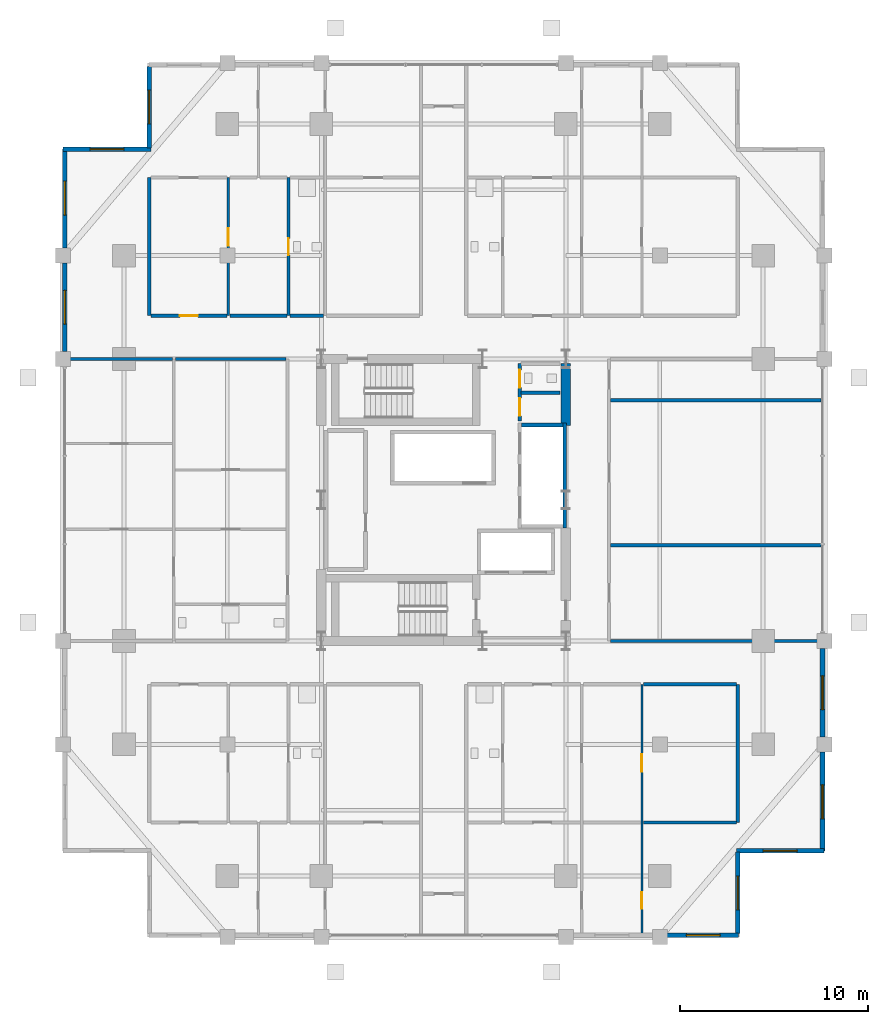
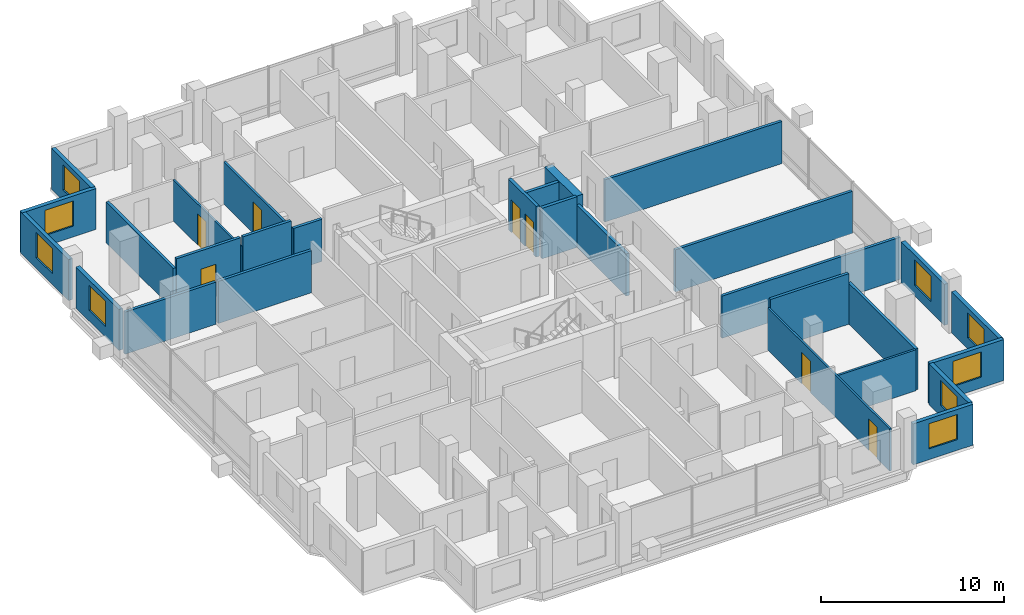
# One storey, part 16 of 20: 29 walls, 9 windows, 7 doors, 16 openings.
"""IFC4 building model written with IfcOpenShell, lengths in metres."""

from ifc_helpers import new_model, si_unit, direction, frame, frame_2d, origin, place, context, subcontext, project, spatial, rectangle, extrude, material, layer, layer_set, type_object, element, fill, save


model = new_model("IFC4")

# Units and contexts
model_context = context("Model", 3, precision=1e-05, world=origin(), true_north=direction((0.0, 1.0)))
body_context = subcontext(model_context, "Body", "Model", "MODEL_VIEW")
ifc_project = project(units=[si_unit("LENGTHUNIT", "METRE"), si_unit("AREAUNIT", "SQUARE_METRE"), si_unit("VOLUMEUNIT", "CUBIC_METRE"), si_unit("PLANEANGLEUNIT", "RADIAN"), si_unit("MASSUNIT", "GRAM", prefix="KILO")], contexts=[model_context])

# Site, building, storey
site_placement = place(None, origin())
site = spatial("IfcSite", under=ifc_project, at=site_placement, CompositionType="ELEMENT")
building_placement = place(site_placement, origin())
building = spatial("IfcBuilding", under=site, at=building_placement, Name="Barlavira Tower and Art Museum", CompositionType="ELEMENT")
storey_placement = place(building_placement, frame((0.0, 0.0, 136.800048828125)))
storey = spatial("IfcBuildingStorey", under=building, at=storey_placement, Name="L34", CompositionType="ELEMENT", Elevation=136.800048828125)

# Wall, opening, door
ifc_material_1 = material(Name="Gypsum acoustic stud partition", Category="gypsum")
ifc_layer_1 = layer(ifc_material_1, 0.1201171875, Name="Gypsum acoustic stud partition")
ifc_layer_set_1 = layer_set([ifc_layer_1], Name="Gypsum acoustic stud partition")
wall_type_1 = type_object("IfcWallType", Name="Apartment Internal Acoustic Partition 120", PredefinedType="PARTITIONING", material=ifc_layer_set_1)
wall_1_placement = place(storey_placement, frame((-11.449951171875, 9.800048828125, 0.0), z_axis=(0.0, 0.0, 1.0), x_axis=(0.0, 1.0, 0.0)))
wall_1 = element("IfcWall", 1, at=wall_1_placement, inside=storey, type_object=wall_type_1, Name="L34 Partition Wall 5", PredefinedType="PARTITIONING", context=body_context, shape_type="SweptSolid", body=[
    extrude(rectangle(XDim=7.349853515625, YDim=0.1201171875, at=frame_2d((3.6748046875, 0.0))), origin(), (0.0, 0.0, 1.0), 2.73583984375),
])
opening_1_placement = place(wall_1_placement, frame((3.71337890625, 0.0, 0.0)))
opening_1 = element("IfcOpeningElement", 2, at=opening_1_placement, cuts=wall_1, Name="Opening D-02", PredefinedType="OPENING", context=body_context, shape_type="SweptSolid", body=[
    extrude(rectangle(XDim=0.949951171875, YDim=2.10009765625, at=frame_2d((0.47509765625, 1.050048828125))), frame((0.0, 0.070068359375, 0.0), z_axis=(0.0, -1.0, 0.0), x_axis=(1.0, 0.0, 0.0)), (0.0, 0.0, 1.0), 0.14013671875),
])
ifc_material_2 = material(Name="Engineered coastal hardwood", Category="wood")
door_type_1 = type_object("IfcDoorType", Name="Living and Salon Glazed-Leaf Door 950x2100", OperationType="NOTDEFINED", PredefinedType="DOOR", material=ifc_material_2)
door_1_placement = place(opening_1_placement, origin())
door_1 = element("IfcDoor", 3, at=door_1_placement, inside=storey, type_object=door_type_1, Name="Apartment NW1 Kitchen Door", OperationType="SINGLE_SWING_LEFT", OverallHeight=2.10009765625, OverallWidth=0.949951171875, PredefinedType="DOOR", context=body_context, shape_type="SweptSolid", body=[
    extrude(rectangle(XDim=0.949951171875, YDim=2.10009765625, at=frame_2d((0.47509765625, 1.050048828125))), frame((0.0, 0.02490234375, 0.0), z_axis=(0.0, -1.0, 0.0), x_axis=(1.0, 0.0, 0.0)), (0.0, 0.0, 1.0), 0.050048828125),
])
fill(opening_1, door_1)

# Wall, openings, doors
wall_2_placement = place(storey_placement, frame((10.550048828125, -23.14990234375, 0.0), z_axis=(0.0, 0.0, 1.0), x_axis=(0.0, 1.0, 0.0)))
wall_2 = element("IfcWall", 4, at=wall_2_placement, inside=storey, type_object=wall_type_1, Name="L34 Partition Wall 25", PredefinedType="PARTITIONING", context=body_context, shape_type="SweptSolid", body=[
    extrude(rectangle(XDim=13.349853515625, YDim=0.1201171875, at=frame_2d((6.6748046875, 0.0))), origin(), (0.0, 0.0, 1.0), 2.81591796875),
])
opening_2_placement = place(wall_2_placement, frame((8.686767578125, 0.0, 0.0)))
opening_2 = element("IfcOpeningElement", 5, at=opening_2_placement, cuts=wall_2, Name="Opening D-02", PredefinedType="OPENING", context=body_context, shape_type="SweptSolid", body=[
    extrude(rectangle(XDim=0.949951171875, YDim=2.10009765625, at=frame_2d((0.47509765625, 1.050048828125))), frame((0.0, 0.070068359375, 0.0), z_axis=(0.0, -1.0, 0.0), x_axis=(1.0, 0.0, 0.0)), (0.0, 0.0, 1.0), 0.14013671875),
])
opening_3_placement = place(wall_2_placement, frame((1.39892578125, 0.0, 0.0)))
opening_3 = element("IfcOpeningElement", 6, at=opening_3_placement, cuts=wall_2, Name="Opening D-01", PredefinedType="OPENING", context=body_context, shape_type="SweptSolid", body=[
    extrude(rectangle(XDim=0.89990234375, YDim=2.10009765625, at=frame_2d((0.449951171875, 1.050048828125))), frame((0.0, 0.070068359375, 0.0), z_axis=(0.0, -1.0, 0.0), x_axis=(1.0, 0.0, 0.0)), (0.0, 0.0, 1.0), 0.14013671875),
])
door_type_2 = type_object("IfcDoorType", Name="Internal Bedroom Timber Flush Door 900x2100", OperationType="NOTDEFINED", PredefinedType="DOOR", material=ifc_material_2)
door_2_placement = place(opening_3_placement, origin())
door_2 = element("IfcDoor", 7, at=door_2_placement, inside=storey, type_object=door_type_2, Name="Apartment SE1 Bedroom 2 Door", OperationType="SINGLE_SWING_RIGHT", OverallHeight=2.10009765625, OverallWidth=0.89990234375, PredefinedType="DOOR", context=body_context, shape_type="SweptSolid", body=[
    extrude(rectangle(XDim=0.89990234375, YDim=2.10009765625, at=frame_2d((0.449951171875, 1.050048828125))), frame((0.0, 0.02490234375, 0.0), z_axis=(0.0, -1.0, 0.0), x_axis=(1.0, 0.0, 0.0)), (0.0, 0.0, 1.0), 0.050048828125),
])
fill(opening_3, door_2)
door_3_placement = place(opening_2_placement, origin())
door_3 = element("IfcDoor", 8, at=door_3_placement, inside=storey, type_object=door_type_1, Name="Apartment SE1 Dining Salon Door", OperationType="SINGLE_SWING_LEFT", OverallHeight=2.10009765625, OverallWidth=0.949951171875, PredefinedType="DOOR", context=body_context, shape_type="SweptSolid", body=[
    extrude(rectangle(XDim=0.949951171875, YDim=2.10009765625, at=frame_2d((0.47509765625, 1.050048828125))), frame((0.0, 0.02490234375, 0.0), z_axis=(0.0, -1.0, 0.0), x_axis=(1.0, 0.0, 0.0)), (0.0, 0.0, 1.0), 0.050048828125),
])
fill(opening_2, door_3)

# Walls
ifc_material_3 = material(Name="Concrete C60", Category="concrete")
ifc_layer_2 = layer(ifc_material_3, 0.5, Name="Concrete C60")
ifc_layer_set_2 = layer_set([ifc_layer_2], Name="Concrete C60")
wall_type_2 = type_object("IfcWallType", Name="Core Structural Shear Wall 500 Concrete C60", PredefinedType="SHEAR", material=ifc_layer_set_2)
wall_3_placement = place(storey_placement, frame((6.5, 3.949951171875, 0.0), z_axis=(0.0, 0.0, 1.0), x_axis=(0.0, 1.0, 0.0)))
element("IfcWall", 9, at=wall_3_placement, inside=storey, type_object=wall_type_2, Name="L34 Core Shear Wall CS-E2", PredefinedType="SHEAR", context=body_context, shape_type="SweptSolid", body=[
    extrude(rectangle(XDim=3.300048828125, YDim=0.5, at=frame_2d((1.64990234375, 0.0))), origin(), (0.0, 0.0, 1.0), 3.3798828125),
])
ifc_material_4 = material(Name="Autoclaved aerated concrete masonry", Category="masonry")
ifc_layer_3 = layer(ifc_material_4, 0.199951171875, Name="Autoclaved aerated concrete masonry")
ifc_layer_set_3 = layer_set([ifc_layer_3], Name="Autoclaved aerated concrete masonry")
wall_type_3 = type_object("IfcWallType", Name="Fire Compartment and Shaft Wall 200", PredefinedType="SOLIDWALL", material=ifc_layer_set_3)
wall_4_placement = place(storey_placement, frame((6.449951171875, -1.489990234375, 0.0), z_axis=(0.0, 0.0, 1.0), x_axis=(0.0, 1.0, 0.0)))
element("IfcWall", 10, at=wall_4_placement, inside=storey, type_object=wall_type_3, Name="L34 Mid-Rise Lift Back Shaft Wall", PredefinedType="SOLIDWALL", context=body_context, shape_type="SweptSolid", body=[
    extrude(rectangle(XDim=5.580078125, YDim=0.199951171875, at=frame_2d((2.7900390625, 0.0))), origin(), (0.0, 0.0, 1.0), 2.81591796875),
])
wall_5_placement = place(storey_placement, frame((4.14990234375, 3.989990234375, 0.0), z_axis=(0.0, 0.0, 1.0), x_axis=(1.0, 0.0, 0.0)))
element("IfcWall", 11, at=wall_5_placement, inside=storey, type_object=wall_type_3, Name="L34 Mid-Rise Lift North Shaft Wall", PredefinedType="SOLIDWALL", context=body_context, shape_type="SweptSolid", body=[
    extrude(rectangle(XDim=2.2001953125, YDim=0.199951171875, at=frame_2d((1.10009765625, 0.0))), origin(), (0.0, 0.0, 1.0), 3.3798828125),
])

# Wall, openings, doors
wall_6_placement = place(storey_placement, frame((4.050048828125, 4.199951171875, 0.0), z_axis=(0.0, 0.0, 1.0), x_axis=(0.0, 1.0, 0.0)))
wall_6 = element("IfcWall", 12, at=wall_6_placement, inside=storey, type_object=wall_type_3, Name="L34 Partition Wall 21", PredefinedType="SOLIDWALL", context=body_context, shape_type="SweptSolid", body=[
    extrude(rectangle(XDim=3.050048828125, YDim=0.199951171875, at=frame_2d((1.52490234375, 0.0))), origin(), (0.0, 0.0, 1.0), 3.3798828125),
])
opening_4_placement = place(wall_6_placement, frame((0.27490234375, 0.0, 0.0)))
opening_4 = element("IfcOpeningElement", 13, at=opening_4_placement, cuts=wall_6, Name="Opening FD-60", PredefinedType="OPENING", context=body_context, shape_type="SweptSolid", body=[
    extrude(rectangle(XDim=0.949951171875, YDim=2.14990234375, at=frame_2d((0.47509765625, 1.074951171875))), frame((0.0, 0.10986328125, 0.0), z_axis=(0.0, -1.0, 0.0), x_axis=(1.0, 0.0, 0.0)), (0.0, 0.0, 1.0), 0.219970703125),
])
opening_5_placement = place(wall_6_placement, frame((1.77490234375, 0.0, 0.0)))
opening_5 = element("IfcOpeningElement", 14, at=opening_5_placement, cuts=wall_6, Name="Opening FD-60", PredefinedType="OPENING", context=body_context, shape_type="SweptSolid", body=[
    extrude(rectangle(XDim=0.949951171875, YDim=2.14990234375, at=frame_2d((0.47509765625, 1.074951171875))), frame((0.0, 0.10986328125, 0.0), z_axis=(0.0, -1.0, 0.0), x_axis=(1.0, 0.0, 0.0)), (0.0, 0.0, 1.0), 0.219970703125),
])
ifc_material_5 = material(Name="Brushed stainless steel", Category="steel")
door_type_3 = type_object("IfcDoorType", Name="Apartment Entrance and Riser Fire Door 950x2150 FD60S", OperationType="NOTDEFINED", PredefinedType="DOOR", material=ifc_material_5)
door_4_placement = place(opening_4_placement, origin())
door_4 = element("IfcDoor", 15, at=door_4_placement, inside=storey, type_object=door_type_3, Name="Electrical Switchgear Room Door", OperationType="SINGLE_SWING_RIGHT", OverallHeight=2.14990234375, OverallWidth=0.949951171875, PredefinedType="DOOR", context=body_context, shape_type="SweptSolid", body=[
    extrude(rectangle(XDim=0.949951171875, YDim=2.14990234375, at=frame_2d((0.47509765625, 1.074951171875))), frame((0.0, 0.02490234375, 0.0), z_axis=(0.0, -1.0, 0.0), x_axis=(1.0, 0.0, 0.0)), (0.0, 0.0, 1.0), 0.050048828125),
])
fill(opening_4, door_4)
door_5_placement = place(opening_5_placement, origin())
door_5 = element("IfcDoor", 16, at=door_5_placement, inside=storey, type_object=door_type_3, Name="Core Staff Toilet Door", OperationType="SINGLE_SWING_LEFT", OverallHeight=2.14990234375, OverallWidth=0.949951171875, PredefinedType="DOOR", context=body_context, shape_type="SweptSolid", body=[
    extrude(rectangle(XDim=0.949951171875, YDim=2.14990234375, at=frame_2d((0.47509765625, 1.074951171875))), frame((0.0, 0.02490234375, 0.0), z_axis=(0.0, -1.0, 0.0), x_axis=(1.0, 0.0, 0.0)), (0.0, 0.0, 1.0), 0.050048828125),
])
fill(opening_5, door_5)

# Walls
wall_7_placement = place(storey_placement, frame((4.1298828125, 5.699951171875, 0.0), z_axis=(0.0, 0.0, 1.0), x_axis=(1.0, 0.0, 0.0)))
element("IfcWall", 17, at=wall_7_placement, inside=storey, type_object=wall_type_3, Name="L34 Partition Wall 59", PredefinedType="SOLIDWALL", context=body_context, shape_type="SweptSolid", body=[
    extrude(rectangle(XDim=2.070068359375, YDim=0.199951171875, at=frame_2d((1.03515625, 0.0))), origin(), (0.0, 0.0, 1.0), 3.3798828125),
])
ifc_layer_4 = layer(ifc_material_1, 0.179931640625, Name="Gypsum acoustic stud partition")
ifc_layer_set_4 = layer_set([ifc_layer_4], Name="Gypsum acoustic stud partition")
wall_type_4 = type_object("IfcWallType", Name="Inter-Tenancy Party Partition Wall 180", PredefinedType="PARTITIONING", material=ifc_layer_set_4)
for number, where, z_axis, x_axis, name in (
    (18, (-15.64990234375, 9.800048828125, 0.0), (0.0, 0.0, 1.0), (0.0, 1.0, 0.0), "L34 Partition Wall 2"),
    (19, (15.64990234375, -17.14990234375, 0.0), (0.0, 0.0, 1.0), (0.0, 1.0, 0.0), "L34 Partition Wall 27"),
):
    element("IfcWall", number, at=place(storey_placement, frame(where, z_axis=z_axis, x_axis=x_axis)), inside=storey, type_object=wall_type_4, Name=name, PredefinedType="PARTITIONING", context=body_context, shape_type="SweptSolid", body=[
        extrude(rectangle(XDim=7.349853515625, YDim=0.179931640625, at=frame_2d((3.6748046875, 0.0))), origin(), (0.0, 0.0, 1.0), 2.73583984375),
    ])
wall_8_placement = place(storey_placement, frame((10.6298828125, -9.800048828125, 0.0), z_axis=(0.0, 0.0, 1.0), x_axis=(1.0, 0.0, 0.0)))
element("IfcWall", 20, at=wall_8_placement, inside=storey, type_object=wall_type_4, Name="L34 Partition Wall 46", PredefinedType="PARTITIONING", context=body_context, shape_type="SweptSolid", body=[
    extrude(rectangle(XDim=4.940185546875, YDim=0.179931640625, at=frame_2d((2.47021484375, 0.0))), origin(), (0.0, 0.0, 1.0), 3.3798828125),
])
wall_9_placement = place(storey_placement, frame((8.8798828125, -7.5, 0.0), z_axis=(0.0, 0.0, 1.0), x_axis=(1.0, 0.0, 0.0)))
element("IfcWall", 21, at=wall_9_placement, inside=storey, type_object=wall_type_4, Name="L34 Partition Wall 49", PredefinedType="PARTITIONING", context=body_context, shape_type="SweptSolid", body=[
    extrude(rectangle(XDim=11.27001953125, YDim=0.179931640625, at=frame_2d((5.635009765625, 0.0))), origin(), (0.0, 0.0, 1.0), 2.81591796875),
])
for number, where, z_axis, x_axis, name in (
    (22, (8.8798828125, -2.39990234375, 0.0), (0.0, 0.0, 1.0), (1.0, 0.0, 0.0), "L34 Partition Wall 52"),
    (23, (8.8798828125, 5.300048828125, 0.0), (0.0, 0.0, 1.0), (1.0, 0.0, 0.0), "L34 Partition Wall 58"),
):
    element("IfcWall", number, at=place(storey_placement, frame(where, z_axis=z_axis, x_axis=x_axis)), inside=storey, type_object=wall_type_4, Name=name, PredefinedType="PARTITIONING", context=body_context, shape_type="SweptSolid", body=[
        extrude(rectangle(XDim=11.190185546875, YDim=0.179931640625, at=frame_2d((5.59521484375, 0.0))), origin(), (0.0, 0.0, 1.0), 2.81591796875),
    ])
wall_10_placement = place(storey_placement, frame((-20.14990234375, 7.5, 0.0), z_axis=(0.0, 0.0, 1.0), x_axis=(1.0, 0.0, 0.0)))
element("IfcWall", 24, at=wall_10_placement, inside=storey, type_object=wall_type_4, Name="L34 Partition Wall 61", PredefinedType="PARTITIONING", context=body_context, shape_type="SweptSolid", body=[
    extrude(rectangle(XDim=5.719970703125, YDim=0.179931640625, at=frame_2d((2.85986328125, 0.0))), origin(), (0.0, 0.0, 1.0), 2.81591796875),
])
wall_11_placement = place(storey_placement, frame((-14.27001953125, 7.5, 0.0), z_axis=(0.0, 0.0, 1.0), x_axis=(1.0, 0.0, 0.0)))
element("IfcWall", 25, at=wall_11_placement, inside=storey, type_object=wall_type_4, Name="L34 Partition Wall 62", PredefinedType="PARTITIONING", context=body_context, shape_type="SweptSolid", body=[
    extrude(rectangle(XDim=5.89013671875, YDim=0.179931640625, at=frame_2d((2.945068359375, 0.0))), origin(), (0.0, 0.0, 1.0), 2.81591796875),
])

# Wall, opening, door
wall_12_placement = place(storey_placement, frame((-15.570068359375, 9.800048828125, 0.0), z_axis=(0.0, 0.0, 1.0), x_axis=(1.0, 0.0, 0.0)))
wall_12 = element("IfcWall", 26, at=wall_12_placement, inside=storey, type_object=wall_type_4, Name="L34 Partition Wall 64", PredefinedType="PARTITIONING", context=body_context, shape_type="SweptSolid", body=[
    extrude(rectangle(XDim=4.0400390625, YDim=0.179931640625, at=frame_2d((2.02001953125, 0.0))), origin(), (0.0, 0.0, 1.0), 3.3798828125),
])
opening_6_placement = place(wall_12_placement, frame((1.544921875, 0.0, 0.0)))
opening_6 = element("IfcOpeningElement", 27, at=opening_6_placement, cuts=wall_12, Name="Opening FD-60", PredefinedType="OPENING", context=body_context, shape_type="SweptSolid", body=[
    extrude(rectangle(XDim=0.949951171875, YDim=2.14990234375, at=frame_2d((0.47509765625, 1.074951171875))), frame((0.0, 0.10009765625, 0.0), z_axis=(0.0, -1.0, 0.0), x_axis=(1.0, 0.0, 0.0)), (0.0, 0.0, 1.0), 0.199951171875),
])
door_6_placement = place(opening_6_placement, origin())
door_6 = element("IfcDoor", 28, at=door_6_placement, inside=storey, type_object=door_type_3, Name="Apartment Entrance Hall NW1 Door", OperationType="SINGLE_SWING_RIGHT", OverallHeight=2.14990234375, OverallWidth=0.949951171875, PredefinedType="DOOR", context=body_context, shape_type="SweptSolid", body=[
    extrude(rectangle(XDim=0.949951171875, YDim=2.14990234375, at=frame_2d((0.47509765625, 1.074951171875))), frame((0.0, 0.02490234375, 0.0), z_axis=(0.0, -1.0, 0.0), x_axis=(1.0, 0.0, 0.0)), (0.0, 0.0, 1.0), 0.050048828125),
])
fill(opening_6, door_6)

# Walls
wall_13_placement = place(storey_placement, frame((-11.3701171875, 9.800048828125, 0.0), z_axis=(0.0, 0.0, 1.0), x_axis=(1.0, 0.0, 0.0)))
element("IfcWall", 29, at=wall_13_placement, inside=storey, type_object=wall_type_4, Name="L34 Partition Wall 65", PredefinedType="PARTITIONING", context=body_context, shape_type="SweptSolid", body=[
    extrude(rectangle(XDim=3.0400390625, YDim=0.179931640625, at=frame_2d((1.52001953125, 0.0))), origin(), (0.0, 0.0, 1.0), 3.3798828125),
])
wall_14_placement = place(storey_placement, frame((-8.169921875, 9.800048828125, 0.0), z_axis=(0.0, 0.0, 1.0), x_axis=(1.0, 0.0, 0.0)))
element("IfcWall", 30, at=wall_14_placement, inside=storey, type_object=wall_type_4, Name="L34 Partition Wall 66", PredefinedType="PARTITIONING", context=body_context, shape_type="SweptSolid", body=[
    extrude(rectangle(XDim=1.7900390625, YDim=0.179931640625, at=frame_2d((0.89501953125, 0.0))), origin(), (0.0, 0.0, 1.0), 2.81591796875),
])

# Wall, opening, door
ifc_layer_5 = layer(ifc_material_1, 0.139892578125, Name="Gypsum acoustic stud partition")
ifc_layer_set_5 = layer_set([ifc_layer_5], Name="Gypsum acoustic stud partition")
wall_type_5 = type_object("IfcWallType", Name="Moisture-Resistant Bathroom Partition 140", PredefinedType="PARTITIONING", material=ifc_layer_set_5)
wall_15_placement = place(storey_placement, frame((-8.25, 9.800048828125, 0.0), z_axis=(0.0, 0.0, 1.0), x_axis=(0.0, 1.0, 0.0)))
wall_15 = element("IfcWall", 31, at=wall_15_placement, inside=storey, type_object=wall_type_5, Name="L34 Partition Wall 10", PredefinedType="PARTITIONING", context=body_context, shape_type="SweptSolid", body=[
    extrude(rectangle(XDim=7.349853515625, YDim=0.139892578125, at=frame_2d((3.6748046875, 0.0))), origin(), (0.0, 0.0, 1.0), 2.81591796875),
])
opening_7_placement = place(wall_15_placement, frame((3.219970703125, 0.0, 0.0)))
opening_7 = element("IfcOpeningElement", 32, at=opening_7_placement, cuts=wall_15, Name="Opening D-WC", PredefinedType="OPENING", context=body_context, shape_type="SweptSolid", body=[
    extrude(rectangle(XDim=0.89990234375, YDim=2.10009765625, at=frame_2d((0.449951171875, 1.050048828125))), frame((0.0, 0.080078125, 0.0), z_axis=(0.0, -1.0, 0.0), x_axis=(1.0, 0.0, 0.0)), (0.0, 0.0, 1.0), 0.159912109375),
])
door_type_4 = type_object("IfcDoorType", Name="Accessible Bathroom Flush Door 900x2100", OperationType="NOTDEFINED", PredefinedType="DOOR", material=ifc_material_2)
door_7_placement = place(opening_7_placement, origin())
door_7 = element("IfcDoor", 33, at=door_7_placement, inside=storey, type_object=door_type_4, Name="Apartment NW1 Hall Bathroom Door", OperationType="SINGLE_SWING_RIGHT", OverallHeight=2.10009765625, OverallWidth=0.89990234375, PredefinedType="DOOR", context=body_context, shape_type="SweptSolid", body=[
    extrude(rectangle(XDim=0.89990234375, YDim=2.10009765625, at=frame_2d((0.449951171875, 1.050048828125))), frame((0.0, 0.02490234375, 0.0), z_axis=(0.0, -1.0, 0.0), x_axis=(1.0, 0.0, 0.0)), (0.0, 0.0, 1.0), 0.050048828125),
])
fill(opening_7, door_7)

# Wall
wall_16_placement = place(storey_placement, frame((10.6298828125, -17.14990234375, 0.0), z_axis=(0.0, 0.0, 1.0), x_axis=(1.0, 0.0, 0.0)))
element("IfcWall", 34, at=wall_16_placement, inside=storey, type_object=wall_type_5, Name="L34 Partition Wall 38", PredefinedType="PARTITIONING", context=body_context, shape_type="SweptSolid", body=[
    extrude(rectangle(XDim=4.940185546875, YDim=0.139892578125, at=frame_2d((2.47021484375, 0.0))), origin(), (0.0, 0.0, 1.0), 2.73583984375),
])

# Wall, opening, window
ifc_material_6 = material(Name="Precast concrete C40", Category="concrete")
ifc_layer_6 = layer(ifc_material_6, 0.25, Name="Precast concrete C40")
ifc_layer_set_6 = layer_set([ifc_layer_6], Name="Precast concrete C40")
wall_type_6 = type_object("IfcWallType", Name="Notched Corner Spandrel Wall 250 Precast Concrete C40", PredefinedType="SOLIDWALL", material=ifc_layer_set_6)
wall_17_placement = place(storey_placement, frame((11.89501953125, -23.14990234375, 0.0), z_axis=(0.0, 0.0, 1.0), x_axis=(1.0, 0.0, 0.0)))
wall_17 = element("IfcWall", 35, at=wall_17_placement, inside=storey, type_object=wall_type_6, Name="L34 Coastal Facade Pier Wall CW2-L34-S-5", PredefinedType="SOLIDWALL", context=body_context, shape_type="SweptSolid", body=[
    extrude(rectangle(XDim=3.780029296875, YDim=0.25, at=frame_2d((1.89013671875, 0.0))), origin(), (0.0, 0.0, 1.0), 2.73583984375),
])
opening_8_placement = place(wall_17_placement, frame((1.012939453125, 0.0, 0.719970703125)))
opening_8 = element("IfcOpeningElement", 36, at=opening_8_placement, cuts=wall_17, Name="Opening WN-01", PredefinedType="OPENING", context=body_context, shape_type="SweptSolid", body=[
    extrude(rectangle(XDim=1.800048828125, YDim=1.679931640625, at=frame_2d((0.89990234375, 0.83984375))), frame((0.0, 0.135009765625, 0.0), z_axis=(0.0, -1.0, 0.0), x_axis=(1.0, 0.0, 0.0)), (0.0, 0.0, 1.0), 0.27001953125),
])
ifc_material_7 = material(Name="Low-iron coastal laminated glass", Category="glass")
window_type = type_object("IfcWindowType", Name="Recessed Notch Corner Punch Window 1800x1680", PartitioningType="SINGLE_PANEL", PredefinedType="WINDOW", material=ifc_material_7)
window_1_placement = place(opening_8_placement, origin())
window_1 = element("IfcWindow", 37, at=window_1_placement, inside=storey, type_object=window_type, Name="L34 Punched Facade Window EWP-CW2-L34-S-5-1", OverallHeight=1.679931640625, OverallWidth=1.800048828125, PartitioningType="SINGLE_PANEL", PredefinedType="WINDOW", context=body_context, shape_type="SweptSolid", body=[
    extrude(rectangle(XDim=1.800048828125, YDim=1.679931640625, at=frame_2d((0.89990234375, 0.83984375))), frame((0.0, 0.030029296875, 0.0), z_axis=(0.0, -1.0, 0.0), x_axis=(1.0, 0.0, 0.0)), (0.0, 0.0, 1.0), 0.06005859375),
])
fill(opening_8, window_1)

wall_18_placement = place(storey_placement, frame((-20.14990234375, 18.675048828125, 0.0), z_axis=(0.0, 0.0, 1.0), x_axis=(0.0, -1.0, 0.0)))
wall_18 = element("IfcWall", 38, at=wall_18_placement, inside=storey, type_object=wall_type_6, Name="L34 Coastal Facade Pier Wall CW2-L34-W-1", PredefinedType="SOLIDWALL", context=body_context, shape_type="SweptSolid", body=[
    extrude(rectangle(XDim=5.280029296875, YDim=0.25, at=frame_2d((2.64013671875, 0.0))), origin(), (0.0, 0.0, 1.0), 2.73583984375),
])
opening_9_placement = place(wall_18_placement, frame((1.718017578125, 0.0, 0.719970703125)))
opening_9 = element("IfcOpeningElement", 39, at=opening_9_placement, cuts=wall_18, Name="Opening WN-01", PredefinedType="OPENING", context=body_context, shape_type="SweptSolid", body=[
    extrude(rectangle(XDim=1.800048828125, YDim=1.679931640625, at=frame_2d((0.89990234375, 0.83984375))), frame((0.0, 0.135009765625, 0.0), z_axis=(0.0, -1.0, 0.0), x_axis=(1.0, 0.0, 0.0)), (0.0, 0.0, 1.0), 0.27001953125),
])
window_2_placement = place(opening_9_placement, origin())
window_2 = element("IfcWindow", 40, at=window_2_placement, inside=storey, type_object=window_type, Name="L34 Punched Facade Window EWP-CW2-L34-W-1-1", OverallHeight=1.679931640625, OverallWidth=1.800048828125, PartitioningType="SINGLE_PANEL", PredefinedType="WINDOW", context=body_context, shape_type="SweptSolid", body=[
    extrude(rectangle(XDim=1.800048828125, YDim=1.679931640625, at=frame_2d((0.89990234375, 0.83984375))), frame((0.0, 0.030029296875, 0.0), z_axis=(0.0, -1.0, 0.0), x_axis=(1.0, 0.0, 0.0)), (0.0, 0.0, 1.0), 0.06005859375),
])
fill(opening_9, window_2)

wall_19_placement = place(storey_placement, frame((-20.14990234375, 12.60498046875, 0.0), z_axis=(0.0, 0.0, 1.0), x_axis=(0.0, -1.0, 0.0)))
wall_19 = element("IfcWall", 41, at=wall_19_placement, inside=storey, type_object=wall_type_6, Name="L34 Coastal Facade Pier Wall CW2-L34-W-2", PredefinedType="SOLIDWALL", context=body_context, shape_type="SweptSolid", body=[
    extrude(rectangle(XDim=4.7099609375, YDim=0.25, at=frame_2d((2.35498046875, 0.0))), origin(), (0.0, 0.0, 1.0), 2.73583984375),
])
opening_10_placement = place(wall_19_placement, frame((1.455078125, 0.0, 0.719970703125)))
opening_10 = element("IfcOpeningElement", 42, at=opening_10_placement, cuts=wall_19, Name="Opening WN-01", PredefinedType="OPENING", context=body_context, shape_type="SweptSolid", body=[
    extrude(rectangle(XDim=1.800048828125, YDim=1.679931640625, at=frame_2d((0.89990234375, 0.83984375))), frame((0.0, 0.135009765625, 0.0), z_axis=(0.0, -1.0, 0.0), x_axis=(1.0, 0.0, 0.0)), (0.0, 0.0, 1.0), 0.27001953125),
])
window_3_placement = place(opening_10_placement, origin())
window_3 = element("IfcWindow", 43, at=window_3_placement, inside=storey, type_object=window_type, Name="L34 Punched Facade Window EWP-CW2-L34-W-2-1", OverallHeight=1.679931640625, OverallWidth=1.800048828125, PartitioningType="SINGLE_PANEL", PredefinedType="WINDOW", context=body_context, shape_type="SweptSolid", body=[
    extrude(rectangle(XDim=1.800048828125, YDim=1.679931640625, at=frame_2d((0.89990234375, 0.83984375))), frame((0.0, 0.030029296875, 0.0), z_axis=(0.0, -1.0, 0.0), x_axis=(1.0, 0.0, 0.0)), (0.0, 0.0, 1.0), 0.06005859375),
])
fill(opening_10, window_3)

wall_20_placement = place(storey_placement, frame((20.14990234375, -18.675048828125, 0.0), z_axis=(0.0, 0.0, 1.0), x_axis=(0.0, 1.0, 0.0)))
wall_20 = element("IfcWall", 44, at=wall_20_placement, inside=storey, type_object=wall_type_6, Name="L34 Coastal Facade Pier Wall CW2-L34-E-1", PredefinedType="SOLIDWALL", context=body_context, shape_type="SweptSolid", body=[
    extrude(rectangle(XDim=5.280029296875, YDim=0.25, at=frame_2d((2.64013671875, 0.0))), origin(), (0.0, 0.0, 1.0), 2.73583984375),
])
opening_11_placement = place(wall_20_placement, frame((1.718017578125, 0.0, 0.719970703125)))
opening_11 = element("IfcOpeningElement", 45, at=opening_11_placement, cuts=wall_20, Name="Opening WN-01", PredefinedType="OPENING", context=body_context, shape_type="SweptSolid", body=[
    extrude(rectangle(XDim=1.800048828125, YDim=1.679931640625, at=frame_2d((0.89990234375, 0.83984375))), frame((0.0, 0.135009765625, 0.0), z_axis=(0.0, -1.0, 0.0), x_axis=(1.0, 0.0, 0.0)), (0.0, 0.0, 1.0), 0.27001953125),
])
window_4_placement = place(opening_11_placement, origin())
window_4 = element("IfcWindow", 46, at=window_4_placement, inside=storey, type_object=window_type, Name="L34 Punched Facade Window EWP-CW2-L34-E-1-1", OverallHeight=1.679931640625, OverallWidth=1.800048828125, PartitioningType="SINGLE_PANEL", PredefinedType="WINDOW", context=body_context, shape_type="SweptSolid", body=[
    extrude(rectangle(XDim=1.800048828125, YDim=1.679931640625, at=frame_2d((0.89990234375, 0.83984375))), frame((0.0, 0.030029296875, 0.0), z_axis=(0.0, -1.0, 0.0), x_axis=(1.0, 0.0, 0.0)), (0.0, 0.0, 1.0), 0.06005859375),
])
fill(opening_11, window_4)

wall_21_placement = place(storey_placement, frame((20.14990234375, -12.60498046875, 0.0), z_axis=(0.0, 0.0, 1.0), x_axis=(0.0, 1.0, 0.0)))
wall_21 = element("IfcWall", 47, at=wall_21_placement, inside=storey, type_object=wall_type_6, Name="L34 Coastal Facade Pier Wall CW2-L34-E-2", PredefinedType="SOLIDWALL", context=body_context, shape_type="SweptSolid", body=[
    extrude(rectangle(XDim=4.7099609375, YDim=0.25, at=frame_2d((2.35498046875, 0.0))), origin(), (0.0, 0.0, 1.0), 2.73583984375),
])
opening_12_placement = place(wall_21_placement, frame((1.455078125, 0.0, 0.719970703125)))
opening_12 = element("IfcOpeningElement", 48, at=opening_12_placement, cuts=wall_21, Name="Opening WN-01", PredefinedType="OPENING", context=body_context, shape_type="SweptSolid", body=[
    extrude(rectangle(XDim=1.800048828125, YDim=1.679931640625, at=frame_2d((0.89990234375, 0.83984375))), frame((0.0, 0.135009765625, 0.0), z_axis=(0.0, -1.0, 0.0), x_axis=(1.0, 0.0, 0.0)), (0.0, 0.0, 1.0), 0.27001953125),
])
window_5_placement = place(opening_12_placement, origin())
window_5 = element("IfcWindow", 49, at=window_5_placement, inside=storey, type_object=window_type, Name="L34 Punched Facade Window EWP-CW2-L34-E-2-1", OverallHeight=1.679931640625, OverallWidth=1.800048828125, PartitioningType="SINGLE_PANEL", PredefinedType="WINDOW", context=body_context, shape_type="SweptSolid", body=[
    extrude(rectangle(XDim=1.800048828125, YDim=1.679931640625, at=frame_2d((0.89990234375, 0.83984375))), frame((0.0, 0.030029296875, 0.0), z_axis=(0.0, -1.0, 0.0), x_axis=(1.0, 0.0, 0.0)), (0.0, 0.0, 1.0), 0.06005859375),
])
fill(opening_12, window_5)

wall_22_placement = place(storey_placement, frame((15.64990234375, -23.070068359375, 0.0), z_axis=(0.0, 0.0, 1.0), x_axis=(0.0, 1.0, 0.0)))
wall_22 = element("IfcWall", 50, at=wall_22_placement, inside=storey, type_object=wall_type_6, Name="L34 Notch Corner Wall SE1", PredefinedType="SOLIDWALL", context=body_context, shape_type="SweptSolid", body=[
    extrude(rectangle(XDim=4.340087890625, YDim=0.25, at=frame_2d((2.169921875, 0.0))), origin(), (0.0, 0.0, 1.0), 2.73583984375),
])
opening_13_placement = place(wall_22_placement, frame((1.27001953125, 0.0, 0.719970703125)))
opening_13 = element("IfcOpeningElement", 51, at=opening_13_placement, cuts=wall_22, Name="Opening WN-01", PredefinedType="OPENING", context=body_context, shape_type="SweptSolid", body=[
    extrude(rectangle(XDim=1.800048828125, YDim=1.679931640625, at=frame_2d((0.89990234375, 0.83984375))), frame((0.0, 0.135009765625, 0.0), z_axis=(0.0, -1.0, 0.0), x_axis=(1.0, 0.0, 0.0)), (0.0, 0.0, 1.0), 0.27001953125),
])
window_6_placement = place(opening_13_placement, origin())
window_6 = element("IfcWindow", 52, at=window_6_placement, inside=storey, type_object=window_type, Name="L34 Punched Facade Window EW-NTC-L34-SE1-1", OverallHeight=1.679931640625, OverallWidth=1.800048828125, PartitioningType="SINGLE_PANEL", PredefinedType="WINDOW", context=body_context, shape_type="SweptSolid", body=[
    extrude(rectangle(XDim=1.800048828125, YDim=1.679931640625, at=frame_2d((0.89990234375, 0.83984375))), frame((0.0, 0.030029296875, 0.0), z_axis=(0.0, -1.0, 0.0), x_axis=(1.0, 0.0, 0.0)), (0.0, 0.0, 1.0), 0.06005859375),
])
fill(opening_13, window_6)

wall_23_placement = place(storey_placement, frame((15.570068359375, -18.64990234375, 0.0), z_axis=(0.0, 0.0, 1.0), x_axis=(1.0, 0.0, 0.0)))
wall_23 = element("IfcWall", 53, at=wall_23_placement, inside=storey, type_object=wall_type_6, Name="L34 Notch Corner Wall SE2", PredefinedType="SOLIDWALL", context=body_context, shape_type="SweptSolid", body=[
    extrude(rectangle(XDim=4.659912109375, YDim=0.25, at=frame_2d((2.330078125, 0.0))), origin(), (0.0, 0.0, 1.0), 2.73583984375),
])
opening_14_placement = place(wall_23_placement, frame((1.429931640625, 0.0, 0.719970703125)))
opening_14 = element("IfcOpeningElement", 54, at=opening_14_placement, cuts=wall_23, Name="Opening WN-01", PredefinedType="OPENING", context=body_context, shape_type="SweptSolid", body=[
    extrude(rectangle(XDim=1.800048828125, YDim=1.679931640625, at=frame_2d((0.89990234375, 0.83984375))), frame((0.0, 0.135009765625, 0.0), z_axis=(0.0, -1.0, 0.0), x_axis=(1.0, 0.0, 0.0)), (0.0, 0.0, 1.0), 0.27001953125),
])
window_7_placement = place(opening_14_placement, origin())
window_7 = element("IfcWindow", 55, at=window_7_placement, inside=storey, type_object=window_type, Name="L34 Punched Facade Window EW-NTC-L34-SE2-1", OverallHeight=1.679931640625, OverallWidth=1.800048828125, PartitioningType="SINGLE_PANEL", PredefinedType="WINDOW", context=body_context, shape_type="SweptSolid", body=[
    extrude(rectangle(XDim=1.800048828125, YDim=1.679931640625, at=frame_2d((0.89990234375, 0.83984375))), frame((0.0, 0.030029296875, 0.0), z_axis=(0.0, -1.0, 0.0), x_axis=(1.0, 0.0, 0.0)), (0.0, 0.0, 1.0), 0.06005859375),
])
fill(opening_14, window_7)

wall_24_placement = place(storey_placement, frame((-15.64990234375, 23.070068359375, 0.0), z_axis=(0.0, 0.0, 1.0), x_axis=(0.0, -1.0, 0.0)))
wall_24 = element("IfcWall", 56, at=wall_24_placement, inside=storey, type_object=wall_type_6, Name="L34 Notch Corner Wall NW1", PredefinedType="SOLIDWALL", context=body_context, shape_type="SweptSolid", body=[
    extrude(rectangle(XDim=4.340087890625, YDim=0.25, at=frame_2d((2.169921875, 0.0))), origin(), (0.0, 0.0, 1.0), 2.73583984375),
])
opening_15_placement = place(wall_24_placement, frame((1.27001953125, 0.0, 0.719970703125)))
opening_15 = element("IfcOpeningElement", 57, at=opening_15_placement, cuts=wall_24, Name="Opening WN-01", PredefinedType="OPENING", context=body_context, shape_type="SweptSolid", body=[
    extrude(rectangle(XDim=1.800048828125, YDim=1.679931640625, at=frame_2d((0.89990234375, 0.83984375))), frame((0.0, 0.135009765625, 0.0), z_axis=(0.0, -1.0, 0.0), x_axis=(1.0, 0.0, 0.0)), (0.0, 0.0, 1.0), 0.27001953125),
])
window_8_placement = place(opening_15_placement, origin())
window_8 = element("IfcWindow", 58, at=window_8_placement, inside=storey, type_object=window_type, Name="L34 Punched Facade Window EW-NTC-L34-NW1-1", OverallHeight=1.679931640625, OverallWidth=1.800048828125, PartitioningType="SINGLE_PANEL", PredefinedType="WINDOW", context=body_context, shape_type="SweptSolid", body=[
    extrude(rectangle(XDim=1.800048828125, YDim=1.679931640625, at=frame_2d((0.89990234375, 0.83984375))), frame((0.0, 0.030029296875, 0.0), z_axis=(0.0, -1.0, 0.0), x_axis=(1.0, 0.0, 0.0)), (0.0, 0.0, 1.0), 0.06005859375),
])
fill(opening_15, window_8)

wall_25_placement = place(storey_placement, frame((-15.570068359375, 18.64990234375, 0.0), z_axis=(0.0, 0.0, 1.0), x_axis=(-1.0, 0.0, 0.0)))
wall_25 = element("IfcWall", 59, at=wall_25_placement, inside=storey, type_object=wall_type_6, Name="L34 Notch Corner Wall NW2", PredefinedType="SOLIDWALL", context=body_context, shape_type="SweptSolid", body=[
    extrude(rectangle(XDim=4.659912109375, YDim=0.25, at=frame_2d((2.330078125, 0.0))), origin(), (0.0, 0.0, 1.0), 2.73583984375),
])
opening_16_placement = place(wall_25_placement, frame((1.429931640625, 0.0, 0.719970703125)))
opening_16 = element("IfcOpeningElement", 60, at=opening_16_placement, cuts=wall_25, Name="Opening WN-01", PredefinedType="OPENING", context=body_context, shape_type="SweptSolid", body=[
    extrude(rectangle(XDim=1.800048828125, YDim=1.679931640625, at=frame_2d((0.89990234375, 0.83984375))), frame((0.0, 0.135009765625, 0.0), z_axis=(0.0, -1.0, 0.0), x_axis=(1.0, 0.0, 0.0)), (0.0, 0.0, 1.0), 0.27001953125),
])
window_9_placement = place(opening_16_placement, origin())
window_9 = element("IfcWindow", 61, at=window_9_placement, inside=storey, type_object=window_type, Name="L34 Punched Facade Window EW-NTC-L34-NW2-1", OverallHeight=1.679931640625, OverallWidth=1.800048828125, PartitioningType="SINGLE_PANEL", PredefinedType="WINDOW", context=body_context, shape_type="SweptSolid", body=[
    extrude(rectangle(XDim=1.800048828125, YDim=1.679931640625, at=frame_2d((0.89990234375, 0.83984375))), frame((0.0, 0.030029296875, 0.0), z_axis=(0.0, -1.0, 0.0), x_axis=(1.0, 0.0, 0.0)), (0.0, 0.0, 1.0), 0.06005859375),
])
fill(opening_16, window_9)

save(model, "model.ifc")
